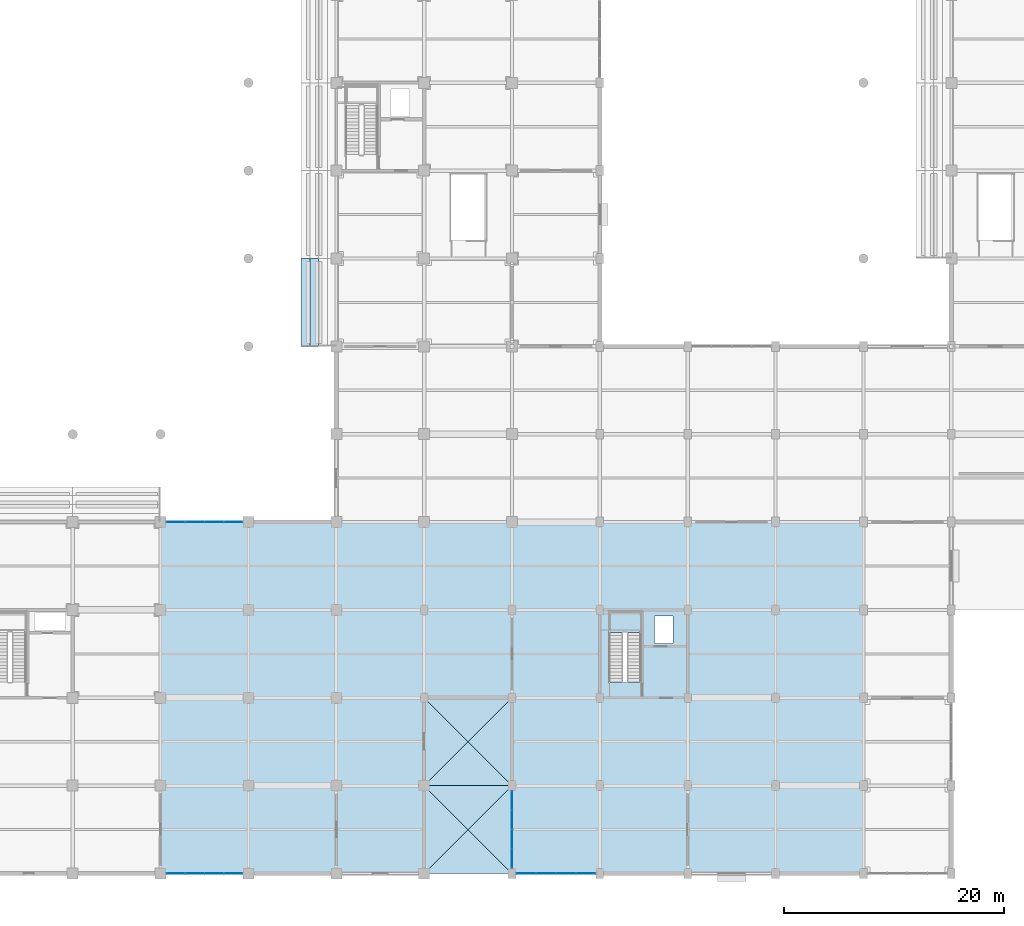
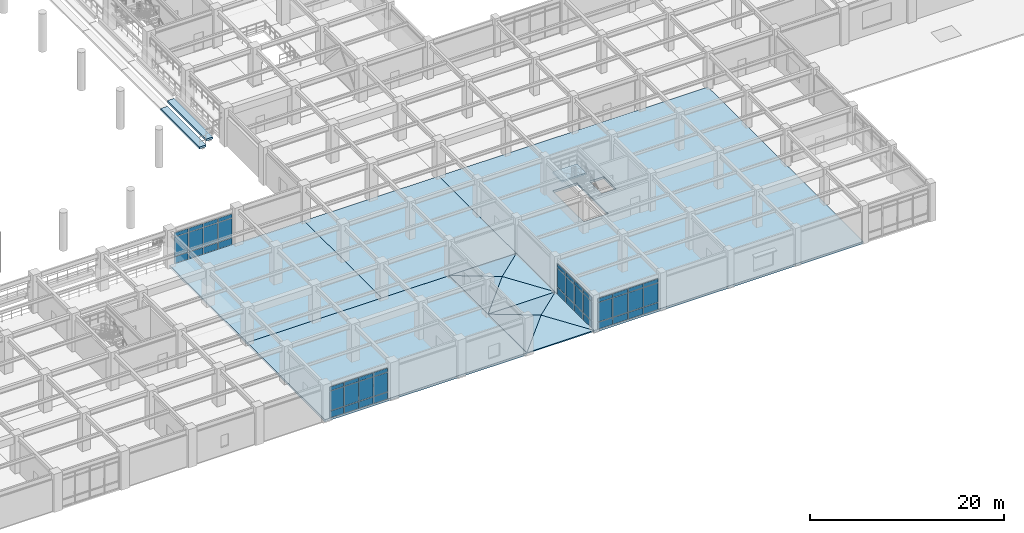
# One storey, part 61 of 117: 48 plates, 15 slabs, 5 elements without a shape of their own.
"""IFC4 building model written with IfcOpenShell, lengths in metres."""

from ifc_helpers import new_model, si_unit, direction, frame, origin, origin_2d, place, context, subcontext, project, spatial, polyline, rectangle, outline, extrude, material, layer, layer_set, type_object, element, aggregate, save


model = new_model("IFC4")

# Units and contexts
model_context = context("Model", 3, precision=1e-05, world=origin(), true_north=direction((0.0, 1.0)))
body_context = subcontext(model_context, "Body", "Model", "MODEL_VIEW")
ifc_project = project(units=[si_unit("LENGTHUNIT", "METRE"), si_unit("AREAUNIT", "SQUARE_METRE"), si_unit("VOLUMEUNIT", "CUBIC_METRE"), si_unit("PLANEANGLEUNIT", "RADIAN"), si_unit("MASSUNIT", "GRAM", prefix="KILO")], contexts=[model_context])

# Site, building, storey
site_placement = place(None, origin())
site = spatial("IfcSite", under=ifc_project, at=site_placement, CompositionType="ELEMENT")
building_placement = place(site_placement, origin())
building = spatial("IfcBuilding", under=site, at=building_placement, Name="Haebicheon Civic Stadium", CompositionType="ELEMENT")
storey_placement = place(building_placement, frame((0.0, 0.0, 4.800048828125)))
storey = spatial("IfcBuildingStorey", under=building, at=storey_placement, Name="L02", CompositionType="ELEMENT", Elevation=4.800048828125)

# Curtain wall, plates
ifc_material_1 = material(Name="Anodised aluminium and laminated glass", Category="aluminium")
ifc_layer_1 = layer(ifc_material_1, 0.179931640625, Name="Anodised aluminium and laminated glass")
ifc_layer_set_1 = layer_set([ifc_layer_1], Name="Anodised aluminium and laminated glass")
curtain_wall_type_1 = type_object("IfcCurtainWallType", Name="CW-7000x3950", PredefinedType="NOTDEFINED", material=ifc_layer_set_1)
curtain_wall_1_placement = place(storey_placement, origin())
curtain_wall_1 = element("IfcCurtainWall", 1, at=curtain_wall_1_placement, inside=storey, type_object=curtain_wall_type_1, material=ifc_layer_set_1, Name="L02 unitised curtain wall 049", PredefinedType="NOTDEFINED")
ifc_material_2 = material(Name="Double low-e laminated glass", Category="glass")
ifc_layer_2 = layer(ifc_material_2, 0.028076171875, Name="Double low-e laminated glass")
ifc_layer_set_2 = layer_set([ifc_layer_2], Name="Double low-e laminated glass")
plate_type_1 = type_object("IfcPlateType", Name="CWP-GLZ-28", PredefinedType="CURTAIN_PANEL", material=ifc_layer_set_2)
plate_1_placement = place(storey_placement, frame((129.39306640625, 0.0, 0.93505859375), z_axis=(0.0, 0.0, 1.0), x_axis=(1.0, 0.0, 0.0)))
plate_1 = element("IfcPlate", 2, at=plate_1_placement, type_object=plate_type_1, material=ifc_layer_set_2, Name="CW-L02-049 vision panel 1.2", PredefinedType="CURTAIN_PANEL", context=body_context, shape_type="SweptSolid", body=[
    extrude(rectangle(XDim=1.64501953125, YDim=0.028076171875, at=origin_2d()), origin(), (0.0, 0.0, 1.0), 2.429931640625),
])
plate_2_placement = place(storey_placement, frame((131.125, 0.0, 0.93505859375), z_axis=(0.0, 0.0, 1.0), x_axis=(1.0, 0.0, 0.0)))
plate_2 = element("IfcPlate", 3, at=plate_2_placement, type_object=plate_type_1, material=ifc_layer_set_2, Name="CW-L02-049 vision panel 2.2", PredefinedType="CURTAIN_PANEL", context=body_context, shape_type="SweptSolid", body=[
    extrude(rectangle(XDim=1.679931640625, YDim=0.028076171875, at=origin_2d()), origin(), (0.0, 0.0, 1.0), 2.429931640625),
])
plate_3_placement = place(storey_placement, frame((132.875, 0.0, 0.93505859375), z_axis=(0.0, 0.0, 1.0), x_axis=(1.0, 0.0, 0.0)))
plate_3 = element("IfcPlate", 4, at=plate_3_placement, type_object=plate_type_1, material=ifc_layer_set_2, Name="CW-L02-049 vision panel 3.2", PredefinedType="CURTAIN_PANEL", context=body_context, shape_type="SweptSolid", body=[
    extrude(rectangle(XDim=1.679931640625, YDim=0.028076171875, at=origin_2d()), origin(), (0.0, 0.0, 1.0), 2.429931640625),
])
plate_4_placement = place(storey_placement, frame((134.60791015625, 0.0, 0.93505859375), z_axis=(0.0, 0.0, 1.0), x_axis=(1.0, 0.0, 0.0)))
plate_4 = element("IfcPlate", 5, at=plate_4_placement, type_object=plate_type_1, material=ifc_layer_set_2, Name="CW-L02-049 vision panel 4.2", PredefinedType="CURTAIN_PANEL", context=body_context, shape_type="SweptSolid", body=[
    extrude(rectangle(XDim=1.64501953125, YDim=0.028076171875, at=origin_2d()), origin(), (0.0, 0.0, 1.0), 2.429931640625),
])

ifc_material_3 = material(Name="Anodised aluminium and laminated glass", Category="aluminium")
ifc_layer_3 = layer(ifc_material_3, 0.179931640625, Name="Anodised aluminium and laminated glass")
ifc_layer_set_3 = layer_set([ifc_layer_3], Name="Anodised aluminium and laminated glass")
curtain_wall_type_2 = type_object("IfcCurtainWallType", Name="CW-7000x3910", PredefinedType="NOTDEFINED", material=ifc_layer_set_3)
curtain_wall_2_placement = place(storey_placement, origin())
curtain_wall_2 = element("IfcCurtainWall", 6, at=curtain_wall_2_placement, inside=storey, type_object=curtain_wall_type_2, material=ifc_layer_set_3, Name="L02 unitised curtain wall 050", PredefinedType="NOTDEFINED")
plate_5_placement = place(storey_placement, frame((129.39306640625, 32.0, 0.93505859375), z_axis=(0.0, 0.0, 1.0), x_axis=(1.0, 0.0, 0.0)))
plate_5 = element("IfcPlate", 7, at=plate_5_placement, type_object=plate_type_1, material=ifc_layer_set_2, Name="CW-L02-050 vision panel 1.2", PredefinedType="CURTAIN_PANEL", context=body_context, shape_type="SweptSolid", body=[
    extrude(rectangle(XDim=1.64501953125, YDim=0.028076171875, at=origin_2d()), origin(), (0.0, 0.0, 1.0), 2.389892578125),
])
plate_6_placement = place(storey_placement, frame((131.125, 32.0, 0.93505859375), z_axis=(0.0, 0.0, 1.0), x_axis=(1.0, 0.0, 0.0)))
plate_6 = element("IfcPlate", 8, at=plate_6_placement, type_object=plate_type_1, material=ifc_layer_set_2, Name="CW-L02-050 vision panel 2.2", PredefinedType="CURTAIN_PANEL", context=body_context, shape_type="SweptSolid", body=[
    extrude(rectangle(XDim=1.679931640625, YDim=0.028076171875, at=origin_2d()), origin(), (0.0, 0.0, 1.0), 2.389892578125),
])
plate_7_placement = place(storey_placement, frame((132.875, 32.0, 0.93505859375), z_axis=(0.0, 0.0, 1.0), x_axis=(1.0, 0.0, 0.0)))
plate_7 = element("IfcPlate", 9, at=plate_7_placement, type_object=plate_type_1, material=ifc_layer_set_2, Name="CW-L02-050 vision panel 3.2", PredefinedType="CURTAIN_PANEL", context=body_context, shape_type="SweptSolid", body=[
    extrude(rectangle(XDim=1.679931640625, YDim=0.028076171875, at=origin_2d()), origin(), (0.0, 0.0, 1.0), 2.389892578125),
])
plate_8_placement = place(storey_placement, frame((134.60791015625, 32.0, 0.93505859375), z_axis=(0.0, 0.0, 1.0), x_axis=(1.0, 0.0, 0.0)))
plate_8 = element("IfcPlate", 10, at=plate_8_placement, type_object=plate_type_1, material=ifc_layer_set_2, Name="CW-L02-050 vision panel 4.2", PredefinedType="CURTAIN_PANEL", context=body_context, shape_type="SweptSolid", body=[
    extrude(rectangle(XDim=1.64501953125, YDim=0.028076171875, at=origin_2d()), origin(), (0.0, 0.0, 1.0), 2.389892578125),
])

ifc_material_4 = material(Name="Anodised aluminium and laminated glass", Category="aluminium")
ifc_layer_4 = layer(ifc_material_4, 0.179931640625, Name="Anodised aluminium and laminated glass")
ifc_layer_set_4 = layer_set([ifc_layer_4], Name="Anodised aluminium and laminated glass")
curtain_wall_type_3 = type_object("IfcCurtainWallType", Name="CW-7300x3910", PredefinedType="NOTDEFINED", material=ifc_layer_set_4)
curtain_wall_3_placement = place(storey_placement, origin())
curtain_wall_3 = element("IfcCurtainWall", 11, at=curtain_wall_3_placement, inside=storey, type_object=curtain_wall_type_3, material=ifc_layer_set_4, Name="L02 unitised curtain wall 053", PredefinedType="NOTDEFINED")
plate_9_placement = place(storey_placement, frame((161.280029296875, 0.0, 0.93505859375), z_axis=(0.0, 0.0, 1.0), x_axis=(1.0, 0.0, 0.0)))
plate_9 = element("IfcPlate", 12, at=plate_9_placement, type_object=plate_type_1, material=ifc_layer_set_2, Name="CW-L02-053 vision panel 1.2", PredefinedType="CURTAIN_PANEL", context=body_context, shape_type="SweptSolid", body=[
    extrude(rectangle(XDim=1.719970703125, YDim=0.028076171875, at=origin_2d()), origin(), (0.0, 0.0, 1.0), 2.389892578125),
])
plate_10_placement = place(storey_placement, frame((163.087890625, 0.0, 0.93505859375), z_axis=(0.0, 0.0, 1.0), x_axis=(1.0, 0.0, 0.0)))
plate_10 = element("IfcPlate", 13, at=plate_10_placement, type_object=plate_type_1, material=ifc_layer_set_2, Name="CW-L02-053 vision panel 2.2", PredefinedType="CURTAIN_PANEL", context=body_context, shape_type="SweptSolid", body=[
    extrude(rectangle(XDim=1.7548828125, YDim=0.028076171875, at=origin_2d()), origin(), (0.0, 0.0, 1.0), 2.389892578125),
])
plate_11_placement = place(storey_placement, frame((164.912109375, 0.0, 0.93505859375), z_axis=(0.0, 0.0, 1.0), x_axis=(1.0, 0.0, 0.0)))
plate_11 = element("IfcPlate", 14, at=plate_11_placement, type_object=plate_type_1, material=ifc_layer_set_2, Name="CW-L02-053 vision panel 3.2", PredefinedType="CURTAIN_PANEL", context=body_context, shape_type="SweptSolid", body=[
    extrude(rectangle(XDim=1.7548828125, YDim=0.028076171875, at=origin_2d()), origin(), (0.0, 0.0, 1.0), 2.389892578125),
])
plate_12_placement = place(storey_placement, frame((166.719970703125, 0.0, 0.93505859375), z_axis=(0.0, 0.0, 1.0), x_axis=(1.0, 0.0, 0.0)))
plate_12 = element("IfcPlate", 15, at=plate_12_placement, type_object=plate_type_1, material=ifc_layer_set_2, Name="CW-L02-053 vision panel 4.2", PredefinedType="CURTAIN_PANEL", context=body_context, shape_type="SweptSolid", body=[
    extrude(rectangle(XDim=1.719970703125, YDim=0.028076171875, at=origin_2d()), origin(), (0.0, 0.0, 1.0), 2.389892578125),
])

ifc_material_5 = material(Name="Anodised aluminium and laminated glass", Category="aluminium")
ifc_layer_5 = layer(ifc_material_5, 0.179931640625, Name="Anodised aluminium and laminated glass")
ifc_layer_set_5 = layer_set([ifc_layer_5], Name="Anodised aluminium and laminated glass")
curtain_wall_type_4 = type_object("IfcCurtainWallType", Name="CW-7100x3910", PredefinedType="NOTDEFINED", material=ifc_layer_set_5)
curtain_wall_4_placement = place(storey_placement, origin())
curtain_wall_4 = element("IfcCurtainWall", 16, at=curtain_wall_4_placement, inside=storey, type_object=curtain_wall_type_4, material=ifc_layer_set_5, Name="L02 unitised curtain wall 054", PredefinedType="NOTDEFINED")
plate_13_placement = place(storey_placement, frame((160.0, 1.35498046875, 0.93505859375), z_axis=(0.0, 0.0, 1.0), x_axis=(0.0, 1.0, 0.0)))
plate_13 = element("IfcPlate", 17, at=plate_13_placement, type_object=plate_type_1, material=ifc_layer_set_2, Name="CW-L02-054 vision panel 1.2", PredefinedType="CURTAIN_PANEL", context=body_context, shape_type="SweptSolid", body=[
    extrude(rectangle(XDim=1.669921875, YDim=0.028076171875, at=origin_2d()), origin(), (0.0, 0.0, 1.0), 2.389892578125),
])
plate_14_placement = place(storey_placement, frame((160.0, 3.113037109375, 0.93505859375), z_axis=(0.0, 0.0, 1.0), x_axis=(0.0, 1.0, 0.0)))
plate_14 = element("IfcPlate", 18, at=plate_14_placement, type_object=plate_type_1, material=ifc_layer_set_2, Name="CW-L02-054 vision panel 2.2", PredefinedType="CURTAIN_PANEL", context=body_context, shape_type="SweptSolid", body=[
    extrude(rectangle(XDim=1.705078125, YDim=0.028076171875, at=origin_2d()), origin(), (0.0, 0.0, 1.0), 2.389892578125),
])
plate_15_placement = place(storey_placement, frame((160.0, 4.887939453125, 0.93505859375), z_axis=(0.0, 0.0, 1.0), x_axis=(0.0, 1.0, 0.0)))
plate_15 = element("IfcPlate", 19, at=plate_15_placement, type_object=plate_type_1, material=ifc_layer_set_2, Name="CW-L02-054 vision panel 3.2", PredefinedType="CURTAIN_PANEL", context=body_context, shape_type="SweptSolid", body=[
    extrude(rectangle(XDim=1.705078125, YDim=0.028076171875, at=origin_2d()), origin(), (0.0, 0.0, 1.0), 2.389892578125),
])
plate_16_placement = place(storey_placement, frame((160.0, 6.64501953125, 0.93505859375), z_axis=(0.0, 0.0, 1.0), x_axis=(0.0, 1.0, 0.0)))
plate_16 = element("IfcPlate", 20, at=plate_16_placement, type_object=plate_type_1, material=ifc_layer_set_2, Name="CW-L02-054 vision panel 4.2", PredefinedType="CURTAIN_PANEL", context=body_context, shape_type="SweptSolid", body=[
    extrude(rectangle(XDim=1.669921875, YDim=0.028076171875, at=origin_2d()), origin(), (0.0, 0.0, 1.0), 2.389892578125),
])

# Plate
ifc_material_6 = material(Name="Anodised aluminium 6063-T6", Category="aluminium")
ifc_layer_6 = layer(ifc_material_6, 0.053955078125, Name="Anodised aluminium 6063-T6")
ifc_layer_set_6 = layer_set([ifc_layer_6], Name="Anodised aluminium 6063-T6")
plate_type_2 = type_object("IfcPlateType", Name="CWP-SPD-54", PredefinedType="CURTAIN_PANEL", material=ifc_layer_set_6)
plate_17_placement = place(storey_placement, frame((129.39306640625, 0.0, 0.034912109375), z_axis=(0.0, 0.0, 1.0), x_axis=(1.0, 0.0, 0.0)))
plate_17 = element("IfcPlate", 21, at=plate_17_placement, type_object=plate_type_2, material=ifc_layer_set_6, Name="CW-L02-049 spandrel panel 1.1", PredefinedType="CURTAIN_PANEL", context=body_context, shape_type="SweptSolid", body=[
    extrude(rectangle(XDim=1.64501953125, YDim=0.053955078125, at=origin_2d()), origin(), (0.0, 0.0, 1.0), 0.830078125),
])

plate_18_placement = place(storey_placement, frame((129.39306640625, 0.0, 3.43505859375), z_axis=(0.0, 0.0, 1.0), x_axis=(1.0, 0.0, 0.0)))
plate_18 = element("IfcPlate", 22, at=plate_18_placement, type_object=plate_type_2, material=ifc_layer_set_6, Name="CW-L02-049 spandrel panel 1.3", PredefinedType="CURTAIN_PANEL", context=body_context, shape_type="SweptSolid", body=[
    extrude(rectangle(XDim=1.64501953125, YDim=0.053955078125, at=origin_2d()), origin(), (0.0, 0.0, 1.0), 0.47998046875),
])

plate_19_placement = place(storey_placement, frame((131.125, 0.0, 0.034912109375), z_axis=(0.0, 0.0, 1.0), x_axis=(1.0, 0.0, 0.0)))
plate_19 = element("IfcPlate", 23, at=plate_19_placement, type_object=plate_type_2, material=ifc_layer_set_6, Name="CW-L02-049 spandrel panel 2.1", PredefinedType="CURTAIN_PANEL", context=body_context, shape_type="SweptSolid", body=[
    extrude(rectangle(XDim=1.679931640625, YDim=0.053955078125, at=origin_2d()), origin(), (0.0, 0.0, 1.0), 0.830078125),
])

plate_20_placement = place(storey_placement, frame((131.125, 0.0, 3.43505859375), z_axis=(0.0, 0.0, 1.0), x_axis=(1.0, 0.0, 0.0)))
plate_20 = element("IfcPlate", 24, at=plate_20_placement, type_object=plate_type_2, material=ifc_layer_set_6, Name="CW-L02-049 spandrel panel 2.3", PredefinedType="CURTAIN_PANEL", context=body_context, shape_type="SweptSolid", body=[
    extrude(rectangle(XDim=1.679931640625, YDim=0.053955078125, at=origin_2d()), origin(), (0.0, 0.0, 1.0), 0.47998046875),
])

plate_21_placement = place(storey_placement, frame((132.875, 0.0, 0.034912109375), z_axis=(0.0, 0.0, 1.0), x_axis=(1.0, 0.0, 0.0)))
plate_21 = element("IfcPlate", 25, at=plate_21_placement, type_object=plate_type_2, material=ifc_layer_set_6, Name="CW-L02-049 spandrel panel 3.1", PredefinedType="CURTAIN_PANEL", context=body_context, shape_type="SweptSolid", body=[
    extrude(rectangle(XDim=1.679931640625, YDim=0.053955078125, at=origin_2d()), origin(), (0.0, 0.0, 1.0), 0.830078125),
])

plate_22_placement = place(storey_placement, frame((132.875, 0.0, 3.43505859375), z_axis=(0.0, 0.0, 1.0), x_axis=(1.0, 0.0, 0.0)))
plate_22 = element("IfcPlate", 26, at=plate_22_placement, type_object=plate_type_2, material=ifc_layer_set_6, Name="CW-L02-049 spandrel panel 3.3", PredefinedType="CURTAIN_PANEL", context=body_context, shape_type="SweptSolid", body=[
    extrude(rectangle(XDim=1.679931640625, YDim=0.053955078125, at=origin_2d()), origin(), (0.0, 0.0, 1.0), 0.47998046875),
])

plate_23_placement = place(storey_placement, frame((134.60791015625, 0.0, 0.034912109375), z_axis=(0.0, 0.0, 1.0), x_axis=(1.0, 0.0, 0.0)))
plate_23 = element("IfcPlate", 27, at=plate_23_placement, type_object=plate_type_2, material=ifc_layer_set_6, Name="CW-L02-049 spandrel panel 4.1", PredefinedType="CURTAIN_PANEL", context=body_context, shape_type="SweptSolid", body=[
    extrude(rectangle(XDim=1.64501953125, YDim=0.053955078125, at=origin_2d()), origin(), (0.0, 0.0, 1.0), 0.830078125),
])

plate_24_placement = place(storey_placement, frame((134.60791015625, 0.0, 3.43505859375), z_axis=(0.0, 0.0, 1.0), x_axis=(1.0, 0.0, 0.0)))
plate_24 = element("IfcPlate", 28, at=plate_24_placement, type_object=plate_type_2, material=ifc_layer_set_6, Name="CW-L02-049 spandrel panel 4.3", PredefinedType="CURTAIN_PANEL", context=body_context, shape_type="SweptSolid", body=[
    extrude(rectangle(XDim=1.64501953125, YDim=0.053955078125, at=origin_2d()), origin(), (0.0, 0.0, 1.0), 0.47998046875),
])

aggregate(curtain_wall_1, [plate_17, plate_1, plate_18, plate_19, plate_2, plate_20, plate_21, plate_3, plate_22, plate_23, plate_4, plate_24])

plate_25_placement = place(storey_placement, frame((129.39306640625, 32.0, 0.034912109375), z_axis=(0.0, 0.0, 1.0), x_axis=(1.0, 0.0, 0.0)))
plate_25 = element("IfcPlate", 29, at=plate_25_placement, type_object=plate_type_2, material=ifc_layer_set_6, Name="CW-L02-050 spandrel panel 1.1", PredefinedType="CURTAIN_PANEL", context=body_context, shape_type="SweptSolid", body=[
    extrude(rectangle(XDim=1.64501953125, YDim=0.053955078125, at=origin_2d()), origin(), (0.0, 0.0, 1.0), 0.830078125),
])

plate_26_placement = place(storey_placement, frame((129.39306640625, 32.0, 3.39501953125), z_axis=(0.0, 0.0, 1.0), x_axis=(1.0, 0.0, 0.0)))
plate_26 = element("IfcPlate", 30, at=plate_26_placement, type_object=plate_type_2, material=ifc_layer_set_6, Name="CW-L02-050 spandrel panel 1.3", PredefinedType="CURTAIN_PANEL", context=body_context, shape_type="SweptSolid", body=[
    extrude(rectangle(XDim=1.64501953125, YDim=0.053955078125, at=origin_2d()), origin(), (0.0, 0.0, 1.0), 0.47998046875),
])

plate_27_placement = place(storey_placement, frame((131.125, 32.0, 0.034912109375), z_axis=(0.0, 0.0, 1.0), x_axis=(1.0, 0.0, 0.0)))
plate_27 = element("IfcPlate", 31, at=plate_27_placement, type_object=plate_type_2, material=ifc_layer_set_6, Name="CW-L02-050 spandrel panel 2.1", PredefinedType="CURTAIN_PANEL", context=body_context, shape_type="SweptSolid", body=[
    extrude(rectangle(XDim=1.679931640625, YDim=0.053955078125, at=origin_2d()), origin(), (0.0, 0.0, 1.0), 0.830078125),
])

plate_28_placement = place(storey_placement, frame((131.125, 32.0, 3.39501953125), z_axis=(0.0, 0.0, 1.0), x_axis=(1.0, 0.0, 0.0)))
plate_28 = element("IfcPlate", 32, at=plate_28_placement, type_object=plate_type_2, material=ifc_layer_set_6, Name="CW-L02-050 spandrel panel 2.3", PredefinedType="CURTAIN_PANEL", context=body_context, shape_type="SweptSolid", body=[
    extrude(rectangle(XDim=1.679931640625, YDim=0.053955078125, at=origin_2d()), origin(), (0.0, 0.0, 1.0), 0.47998046875),
])

plate_29_placement = place(storey_placement, frame((132.875, 32.0, 0.034912109375), z_axis=(0.0, 0.0, 1.0), x_axis=(1.0, 0.0, 0.0)))
plate_29 = element("IfcPlate", 33, at=plate_29_placement, type_object=plate_type_2, material=ifc_layer_set_6, Name="CW-L02-050 spandrel panel 3.1", PredefinedType="CURTAIN_PANEL", context=body_context, shape_type="SweptSolid", body=[
    extrude(rectangle(XDim=1.679931640625, YDim=0.053955078125, at=origin_2d()), origin(), (0.0, 0.0, 1.0), 0.830078125),
])

plate_30_placement = place(storey_placement, frame((132.875, 32.0, 3.39501953125), z_axis=(0.0, 0.0, 1.0), x_axis=(1.0, 0.0, 0.0)))
plate_30 = element("IfcPlate", 34, at=plate_30_placement, type_object=plate_type_2, material=ifc_layer_set_6, Name="CW-L02-050 spandrel panel 3.3", PredefinedType="CURTAIN_PANEL", context=body_context, shape_type="SweptSolid", body=[
    extrude(rectangle(XDim=1.679931640625, YDim=0.053955078125, at=origin_2d()), origin(), (0.0, 0.0, 1.0), 0.47998046875),
])

plate_31_placement = place(storey_placement, frame((134.60791015625, 32.0, 0.034912109375), z_axis=(0.0, 0.0, 1.0), x_axis=(1.0, 0.0, 0.0)))
plate_31 = element("IfcPlate", 35, at=plate_31_placement, type_object=plate_type_2, material=ifc_layer_set_6, Name="CW-L02-050 spandrel panel 4.1", PredefinedType="CURTAIN_PANEL", context=body_context, shape_type="SweptSolid", body=[
    extrude(rectangle(XDim=1.64501953125, YDim=0.053955078125, at=origin_2d()), origin(), (0.0, 0.0, 1.0), 0.830078125),
])

plate_32_placement = place(storey_placement, frame((134.60791015625, 32.0, 3.39501953125), z_axis=(0.0, 0.0, 1.0), x_axis=(1.0, 0.0, 0.0)))
plate_32 = element("IfcPlate", 36, at=plate_32_placement, type_object=plate_type_2, material=ifc_layer_set_6, Name="CW-L02-050 spandrel panel 4.3", PredefinedType="CURTAIN_PANEL", context=body_context, shape_type="SweptSolid", body=[
    extrude(rectangle(XDim=1.64501953125, YDim=0.053955078125, at=origin_2d()), origin(), (0.0, 0.0, 1.0), 0.47998046875),
])

aggregate(curtain_wall_2, [plate_25, plate_5, plate_26, plate_27, plate_6, plate_28, plate_29, plate_7, plate_30, plate_31, plate_8, plate_32])

plate_33_placement = place(storey_placement, frame((161.280029296875, 0.0, 0.034912109375), z_axis=(0.0, 0.0, 1.0), x_axis=(1.0, 0.0, 0.0)))
plate_33 = element("IfcPlate", 37, at=plate_33_placement, type_object=plate_type_2, material=ifc_layer_set_6, Name="CW-L02-053 spandrel panel 1.1", PredefinedType="CURTAIN_PANEL", context=body_context, shape_type="SweptSolid", body=[
    extrude(rectangle(XDim=1.719970703125, YDim=0.053955078125, at=origin_2d()), origin(), (0.0, 0.0, 1.0), 0.830078125),
])

plate_34_placement = place(storey_placement, frame((161.280029296875, 0.0, 3.39501953125), z_axis=(0.0, 0.0, 1.0), x_axis=(1.0, 0.0, 0.0)))
plate_34 = element("IfcPlate", 38, at=plate_34_placement, type_object=plate_type_2, material=ifc_layer_set_6, Name="CW-L02-053 spandrel panel 1.3", PredefinedType="CURTAIN_PANEL", context=body_context, shape_type="SweptSolid", body=[
    extrude(rectangle(XDim=1.719970703125, YDim=0.053955078125, at=origin_2d()), origin(), (0.0, 0.0, 1.0), 0.47998046875),
])

plate_35_placement = place(storey_placement, frame((163.087890625, 0.0, 0.034912109375), z_axis=(0.0, 0.0, 1.0), x_axis=(1.0, 0.0, 0.0)))
plate_35 = element("IfcPlate", 39, at=plate_35_placement, type_object=plate_type_2, material=ifc_layer_set_6, Name="CW-L02-053 spandrel panel 2.1", PredefinedType="CURTAIN_PANEL", context=body_context, shape_type="SweptSolid", body=[
    extrude(rectangle(XDim=1.7548828125, YDim=0.053955078125, at=origin_2d()), origin(), (0.0, 0.0, 1.0), 0.830078125),
])

plate_36_placement = place(storey_placement, frame((163.087890625, 0.0, 3.39501953125), z_axis=(0.0, 0.0, 1.0), x_axis=(1.0, 0.0, 0.0)))
plate_36 = element("IfcPlate", 40, at=plate_36_placement, type_object=plate_type_2, material=ifc_layer_set_6, Name="CW-L02-053 spandrel panel 2.3", PredefinedType="CURTAIN_PANEL", context=body_context, shape_type="SweptSolid", body=[
    extrude(rectangle(XDim=1.7548828125, YDim=0.053955078125, at=origin_2d()), origin(), (0.0, 0.0, 1.0), 0.47998046875),
])

plate_37_placement = place(storey_placement, frame((164.912109375, 0.0, 0.034912109375), z_axis=(0.0, 0.0, 1.0), x_axis=(1.0, 0.0, 0.0)))
plate_37 = element("IfcPlate", 41, at=plate_37_placement, type_object=plate_type_2, material=ifc_layer_set_6, Name="CW-L02-053 spandrel panel 3.1", PredefinedType="CURTAIN_PANEL", context=body_context, shape_type="SweptSolid", body=[
    extrude(rectangle(XDim=1.7548828125, YDim=0.053955078125, at=origin_2d()), origin(), (0.0, 0.0, 1.0), 0.830078125),
])

plate_38_placement = place(storey_placement, frame((164.912109375, 0.0, 3.39501953125), z_axis=(0.0, 0.0, 1.0), x_axis=(1.0, 0.0, 0.0)))
plate_38 = element("IfcPlate", 42, at=plate_38_placement, type_object=plate_type_2, material=ifc_layer_set_6, Name="CW-L02-053 spandrel panel 3.3", PredefinedType="CURTAIN_PANEL", context=body_context, shape_type="SweptSolid", body=[
    extrude(rectangle(XDim=1.7548828125, YDim=0.053955078125, at=origin_2d()), origin(), (0.0, 0.0, 1.0), 0.47998046875),
])

plate_39_placement = place(storey_placement, frame((166.719970703125, 0.0, 0.034912109375), z_axis=(0.0, 0.0, 1.0), x_axis=(1.0, 0.0, 0.0)))
plate_39 = element("IfcPlate", 43, at=plate_39_placement, type_object=plate_type_2, material=ifc_layer_set_6, Name="CW-L02-053 spandrel panel 4.1", PredefinedType="CURTAIN_PANEL", context=body_context, shape_type="SweptSolid", body=[
    extrude(rectangle(XDim=1.719970703125, YDim=0.053955078125, at=origin_2d()), origin(), (0.0, 0.0, 1.0), 0.830078125),
])

plate_40_placement = place(storey_placement, frame((166.719970703125, 0.0, 3.39501953125), z_axis=(0.0, 0.0, 1.0), x_axis=(1.0, 0.0, 0.0)))
plate_40 = element("IfcPlate", 44, at=plate_40_placement, type_object=plate_type_2, material=ifc_layer_set_6, Name="CW-L02-053 spandrel panel 4.3", PredefinedType="CURTAIN_PANEL", context=body_context, shape_type="SweptSolid", body=[
    extrude(rectangle(XDim=1.719970703125, YDim=0.053955078125, at=origin_2d()), origin(), (0.0, 0.0, 1.0), 0.47998046875),
])

aggregate(curtain_wall_3, [plate_33, plate_9, plate_34, plate_35, plate_10, plate_36, plate_37, plate_11, plate_38, plate_39, plate_12, plate_40])

plate_41_placement = place(storey_placement, frame((160.0, 1.35498046875, 0.034912109375), z_axis=(0.0, 0.0, 1.0), x_axis=(0.0, 1.0, 0.0)))
plate_41 = element("IfcPlate", 45, at=plate_41_placement, type_object=plate_type_2, material=ifc_layer_set_6, Name="CW-L02-054 spandrel panel 1.1", PredefinedType="CURTAIN_PANEL", context=body_context, shape_type="SweptSolid", body=[
    extrude(rectangle(XDim=1.669921875, YDim=0.053955078125, at=origin_2d()), origin(), (0.0, 0.0, 1.0), 0.830078125),
])

plate_42_placement = place(storey_placement, frame((160.0, 1.35498046875, 3.39501953125), z_axis=(0.0, 0.0, 1.0), x_axis=(0.0, 1.0, 0.0)))
plate_42 = element("IfcPlate", 46, at=plate_42_placement, type_object=plate_type_2, material=ifc_layer_set_6, Name="CW-L02-054 spandrel panel 1.3", PredefinedType="CURTAIN_PANEL", context=body_context, shape_type="SweptSolid", body=[
    extrude(rectangle(XDim=1.669921875, YDim=0.053955078125, at=origin_2d()), origin(), (0.0, 0.0, 1.0), 0.47998046875),
])

plate_43_placement = place(storey_placement, frame((160.0, 3.113037109375, 0.034912109375), z_axis=(0.0, 0.0, 1.0), x_axis=(0.0, 1.0, 0.0)))
plate_43 = element("IfcPlate", 47, at=plate_43_placement, type_object=plate_type_2, material=ifc_layer_set_6, Name="CW-L02-054 spandrel panel 2.1", PredefinedType="CURTAIN_PANEL", context=body_context, shape_type="SweptSolid", body=[
    extrude(rectangle(XDim=1.705078125, YDim=0.053955078125, at=origin_2d()), origin(), (0.0, 0.0, 1.0), 0.830078125),
])

plate_44_placement = place(storey_placement, frame((160.0, 3.113037109375, 3.39501953125), z_axis=(0.0, 0.0, 1.0), x_axis=(0.0, 1.0, 0.0)))
plate_44 = element("IfcPlate", 48, at=plate_44_placement, type_object=plate_type_2, material=ifc_layer_set_6, Name="CW-L02-054 spandrel panel 2.3", PredefinedType="CURTAIN_PANEL", context=body_context, shape_type="SweptSolid", body=[
    extrude(rectangle(XDim=1.705078125, YDim=0.053955078125, at=origin_2d()), origin(), (0.0, 0.0, 1.0), 0.47998046875),
])

plate_45_placement = place(storey_placement, frame((160.0, 4.887939453125, 0.034912109375), z_axis=(0.0, 0.0, 1.0), x_axis=(0.0, 1.0, 0.0)))
plate_45 = element("IfcPlate", 49, at=plate_45_placement, type_object=plate_type_2, material=ifc_layer_set_6, Name="CW-L02-054 spandrel panel 3.1", PredefinedType="CURTAIN_PANEL", context=body_context, shape_type="SweptSolid", body=[
    extrude(rectangle(XDim=1.705078125, YDim=0.053955078125, at=origin_2d()), origin(), (0.0, 0.0, 1.0), 0.830078125),
])

plate_46_placement = place(storey_placement, frame((160.0, 4.887939453125, 3.39501953125), z_axis=(0.0, 0.0, 1.0), x_axis=(0.0, 1.0, 0.0)))
plate_46 = element("IfcPlate", 50, at=plate_46_placement, type_object=plate_type_2, material=ifc_layer_set_6, Name="CW-L02-054 spandrel panel 3.3", PredefinedType="CURTAIN_PANEL", context=body_context, shape_type="SweptSolid", body=[
    extrude(rectangle(XDim=1.705078125, YDim=0.053955078125, at=origin_2d()), origin(), (0.0, 0.0, 1.0), 0.47998046875),
])

plate_47_placement = place(storey_placement, frame((160.0, 6.64501953125, 0.034912109375), z_axis=(0.0, 0.0, 1.0), x_axis=(0.0, 1.0, 0.0)))
plate_47 = element("IfcPlate", 51, at=plate_47_placement, type_object=plate_type_2, material=ifc_layer_set_6, Name="CW-L02-054 spandrel panel 4.1", PredefinedType="CURTAIN_PANEL", context=body_context, shape_type="SweptSolid", body=[
    extrude(rectangle(XDim=1.669921875, YDim=0.053955078125, at=origin_2d()), origin(), (0.0, 0.0, 1.0), 0.830078125),
])

plate_48_placement = place(storey_placement, frame((160.0, 6.64501953125, 3.39501953125), z_axis=(0.0, 0.0, 1.0), x_axis=(0.0, 1.0, 0.0)))
plate_48 = element("IfcPlate", 52, at=plate_48_placement, type_object=plate_type_2, material=ifc_layer_set_6, Name="CW-L02-054 spandrel panel 4.3", PredefinedType="CURTAIN_PANEL", context=body_context, shape_type="SweptSolid", body=[
    extrude(rectangle(XDim=1.669921875, YDim=0.053955078125, at=origin_2d()), origin(), (0.0, 0.0, 1.0), 0.47998046875),
])

aggregate(curtain_wall_4, [plate_41, plate_13, plate_42, plate_43, plate_14, plate_44, plate_45, plate_15, plate_46, plate_47, plate_16, plate_48])

# Slabs
ifc_material_7 = material(Name="Concrete C40/50", Category="concrete")
ifc_layer_7 = layer(ifc_material_7, 0.280029296875, Name="Concrete C40/50")
ifc_layer_set_7 = layer_set([ifc_layer_7], Name="Concrete C40/50")
slab_type_1 = type_object("IfcSlabType", Name="SLB-FLR-280", PredefinedType="FLOOR", material=ifc_layer_set_7)
slab_1_placement = place(storey_placement, frame((0.0, 0.0, -0.280029296875)))
element("IfcSlab", 53, at=slab_1_placement, inside=storey, type_object=slab_type_1, material=ifc_layer_set_7, Name="L02 V2 structural slab 7.1", PredefinedType="FLOOR", context=body_context, shape_type="SweptSolid", body=[
    extrude(outline(polyline([(128.0, 24.0), (128.0, 32.0), (136.0, 32.0), (144.0, 32.0), (144.0, 24.0), (144.0, 16.0), (136.0, 16.0), (128.0, 16.0), (128.0, 24.0)])), origin(), (0.0, 0.0, 1.0), 0.280029296875),
])
slab_2_placement = place(storey_placement, frame((0.0, 0.0, -0.280029296875)))
element("IfcSlab", 54, at=slab_2_placement, inside=storey, type_object=slab_type_1, material=ifc_layer_set_7, Name="L02 V4 structural slab 1.1", PredefinedType="FLOOR", context=body_context, shape_type="SweptSolid", body=[
    extrude(outline(polyline([(144.0, 24.0), (144.0, 32.0), (152.0, 32.0), (160.0, 32.0), (160.0, 24.0), (160.0, 16.0), (152.0, 16.0), (144.0, 16.0), (144.0, 24.0)])), origin(), (0.0, 0.0, 1.0), 0.280029296875),
])
slab_3_placement = place(storey_placement, frame((0.0, 0.0, -0.280029296875)))
element("IfcSlab", 55, at=slab_3_placement, inside=storey, type_object=slab_type_1, material=ifc_layer_set_7, Name="L02 V4 structural slab 4.1", PredefinedType="FLOOR", context=body_context, shape_type="SweptSolid", body=[
    extrude(outline(polyline([(160.0, 24.0), (160.0, 32.0), (168.0, 32.0), (176.0, 32.0), (184.0, 32.0), (192.0, 32.0), (192.0, 24.0), (192.0, 16.0), (192.0, 8.0), (192.0, 0.0), (184.0, 0.0), (176.0, 0.0), (168.0, 0.0), (160.0, 0.0), (160.0, 8.0), (160.0, 16.0), (160.0, 24.0)]), holes=[polyline([(168.840087890625, 17.4599609375), (171.739990234375, 17.4599609375), (171.739990234375, 23.840087890625), (168.840087890625, 23.840087890625), (168.840087890625, 17.4599609375)]), polyline([(172.969970703125, 20.929931640625), (174.669921875, 20.929931640625), (174.669921875, 23.429931640625), (172.969970703125, 23.429931640625), (172.969970703125, 20.929931640625)])]), origin(), (0.0, 0.0, 1.0), 0.280029296875),
])
slab_4_placement = place(storey_placement, frame((0.0, 0.0, -0.280029296875)))
element("IfcSlab", 56, at=slab_4_placement, inside=storey, type_object=slab_type_1, material=ifc_layer_set_7, Name="L02 V6 structural slab 4.1", PredefinedType="FLOOR", context=body_context, shape_type="SweptSolid", body=[
    extrude(outline(polyline([(128.0, 8.0), (128.0, 16.0), (136.0, 16.0), (144.0, 16.0), (152.0, 16.0), (152.0, 8.0), (152.0, 0.0), (144.0, 0.0), (136.0, 0.0), (128.0, 0.0), (128.0, 8.0)])), origin(), (0.0, 0.0, 1.0), 0.280029296875),
])

# Stair, slab
ifc_material_8 = material(Name="Concrete C40/50", Category="concrete")
stair_type = type_object("IfcStairType", Name="STR-DL-W128-H48", PredefinedType="HALF_TURN_STAIR", material=ifc_material_8)
stair_placement = place(storey_placement, origin())
stair = element("IfcStair", 57, at=stair_placement, inside=storey, type_object=stair_type, material=ifc_material_8, Name="L02 Escape stair ST-14", PredefinedType="HALF_TURN_STAIR")
ifc_material_9 = material(Name="Concrete C40/50", Category="concrete")
ifc_layer_8 = layer(ifc_material_9, 0.199951171875, Name="Concrete C40/50")
ifc_layer_set_8 = layer_set([ifc_layer_8], Name="Concrete C40/50")
slab_type_2 = type_object("IfcSlabType", Name="SLB-LND-200", PredefinedType="LANDING", material=ifc_layer_set_8)
slab_5_placement = place(storey_placement, frame((0.0, 0.0, 2.199951171875)))
slab_5 = element("IfcSlab", 58, at=slab_5_placement, type_object=slab_type_2, material=ifc_layer_set_8, Name="ST-14 landing 1", PredefinedType="LANDING", context=body_context, shape_type="SweptSolid", body=[
    extrude(outline(polyline([(171.739990234375, 21.949951171875), (171.739990234375, 23.840087890625), (168.840087890625, 23.840087890625), (168.840087890625, 21.949951171875), (171.739990234375, 21.949951171875)])), origin(), (0.0, 0.0, 1.0), 0.199951171875),
])
aggregate(stair, [slab_5])

# Slabs
ifc_material_10 = material(Name="Precast concrete C40/50", Category="concrete")
ifc_layer_9 = layer(ifc_material_10, 0.169921875, Name="Precast concrete C40/50")
ifc_layer_set_9 = layer_set([ifc_layer_9], Name="Precast concrete C40/50")
slab_type_3 = type_object("IfcSlabType", Name="SLB-ROOF-170", PredefinedType="ROOF", material=ifc_layer_set_9)
for number, where, z_axis, x_axis, name in (
    (59, (152.0, 0.0, 0.02001953125), (0.0, -0.21948952406, 0.97561485681), (1.0, 0.0, 0.0), "L02 V6 folded shell roof facet 3.S"),
    (60, (160.0, 0.0, 0.02001953125), (0.21948952406, 0.0, 0.97561485681), (0.0, 1.0, 0.0), "L02 V6 folded shell roof facet 3.E"),
    (61, (160.0, 8.0, 0.02001953125), (0.0, 0.21948952406, 0.97561485681), (-1.0, 0.0, 0.0), "L02 V6 folded shell roof facet 3.N"),
    (62, (152.0, 8.0, 0.02001953125), (-0.21948952406, 0.0, 0.97561485681), (0.0, -1.0, 0.0), "L02 V6 folded shell roof facet 3.W"),
    (63, (152.0, 8.0, 0.02001953125), (0.0, -0.21948952406, 0.97561485681), (1.0, 0.0, 0.0), "L02 V6 folded shell roof facet 4.S"),
    (64, (160.0, 8.0, 0.02001953125), (0.21948952406, 0.0, 0.97561485681), (0.0, 1.0, 0.0), "L02 V6 folded shell roof facet 4.E"),
    (65, (160.0, 16.0, 0.02001953125), (0.0, 0.21948952406, 0.97561485681), (-1.0, 0.0, 0.0), "L02 V6 folded shell roof facet 4.N"),
    (66, (152.0, 16.0, 0.02001953125), (-0.21948952406, 0.0, 0.97561485681), (0.0, -1.0, 0.0), "L02 V6 folded shell roof facet 4.W"),
):
    element("IfcSlab", number, at=place(storey_placement, frame(where, z_axis=z_axis, x_axis=x_axis)), inside=storey, type_object=slab_type_3, material=ifc_layer_set_9, Name=name, PredefinedType="ROOF", context=body_context, shape_type="SweptSolid", body=[
        extrude(outline(polyline([(0.0, 0.0), (8.0, 0.0), (4.0, 4.099978564369178), (0.0, 0.0)])), origin(), (0.0, 0.0, -1.0), 0.169921875),
    ])
ifc_material_11 = material(Name="Precast concrete C40/50", Category="concrete")
ifc_layer_10 = layer(ifc_material_11, 0.239990234375, Name="Precast concrete C40/50")
ifc_layer_set_10 = layer_set([ifc_layer_10], Name="Precast concrete C40/50")
slab_type_4 = type_object("IfcSlabType", Name="SLB-TIER-240", PredefinedType="USERDEFINED", material=ifc_layer_set_10)
slab_6_placement = place(storey_placement, frame((0.0, 0.0, 0.427001953125)))
element("IfcSlab", 67, at=slab_6_placement, inside=storey, type_object=slab_type_4, material=ifc_layer_set_10, Name="TIER-E-L precast seating tier bay 1 row-band 7", ObjectType="SEATING TIER", PredefinedType="USERDEFINED", context=body_context, shape_type="SweptSolid", body=[
    extrude(outline(polyline([(140.800048828125, 48.0), (141.60009765625, 48.0), (141.60009765625, 56.0), (140.800048828125, 56.0), (140.800048828125, 48.0)])), origin(), (0.0, 0.0, 1.0), 0.239990234375),
])
slab_7_placement = place(storey_placement, frame((0.0, 0.0, 1.137939453125)))
element("IfcSlab", 68, at=slab_7_placement, inside=storey, type_object=slab_type_4, material=ifc_layer_set_10, Name="TIER-E-L precast seating tier bay 1 row-band 8", ObjectType="SEATING TIER", PredefinedType="USERDEFINED", context=body_context, shape_type="SweptSolid", body=[
    extrude(outline(polyline([(141.60009765625, 48.0), (142.39990234375, 48.0), (142.39990234375, 56.0), (141.60009765625, 56.0), (141.60009765625, 48.0)])), origin(), (0.0, 0.0, 1.0), 0.239990234375),
])

save(model, "model.ifc")
